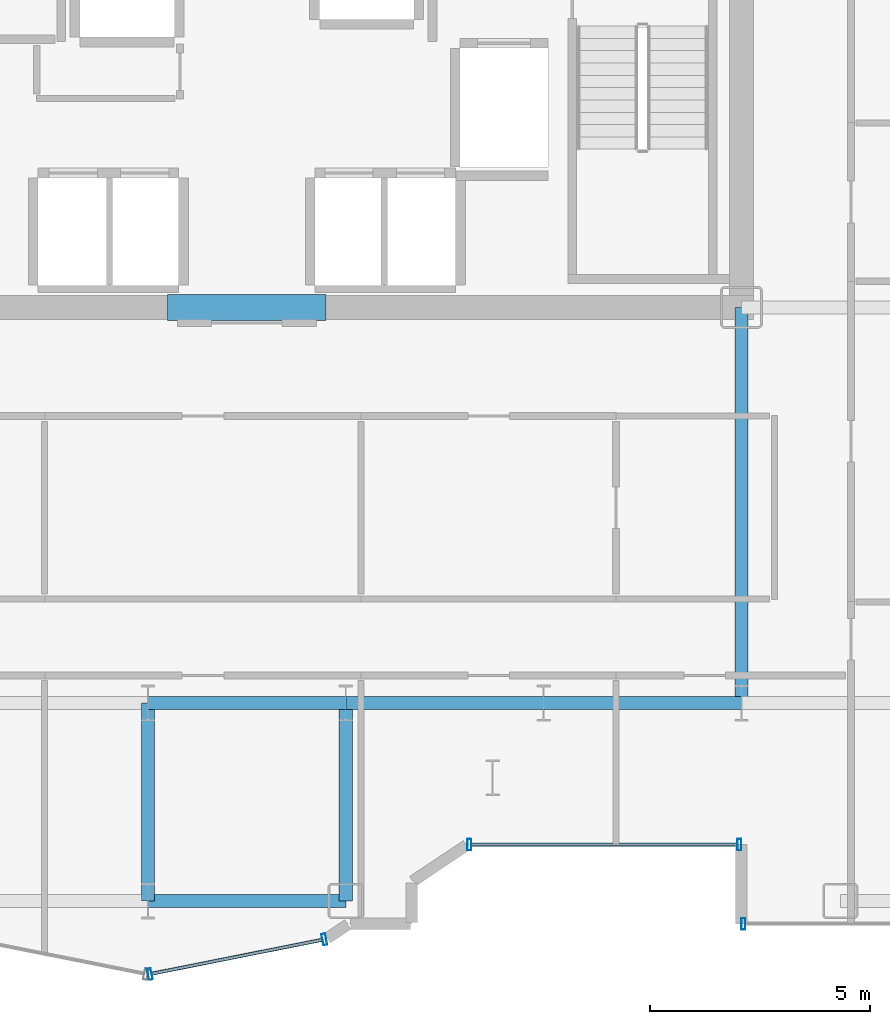
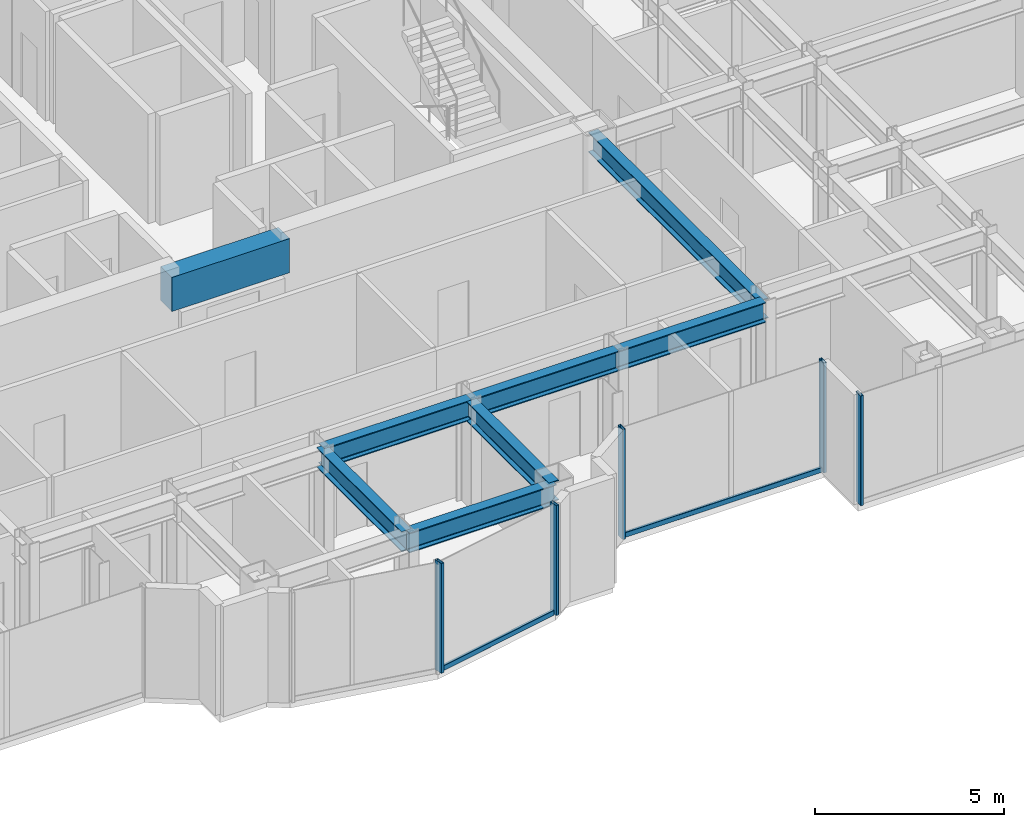
# One storey, part 7 of 23: 8 beams, 7 members, 3 elements without a shape of their own.
"""IFC4 building model written with IfcOpenShell, lengths in metres."""

from ifc_helpers import new_model, si_unit, direction, frame, origin, origin_2d, place, context, subcontext, project, spatial, rectangle, hollow_rectangle, i_section, extrude, source, transform, mapped, material, layer, layer_set, material_profile, profile_set, type_object, element, aggregate, save


model = new_model("IFC4")

# Units and contexts
model_context = context("Model", 3, precision=1e-05, world=origin(), true_north=direction((0.0, 1.0)))
body_context = subcontext(model_context, "Body", "Model", "MODEL_VIEW")
ifc_project = project(units=[si_unit("LENGTHUNIT", "METRE"), si_unit("AREAUNIT", "SQUARE_METRE"), si_unit("VOLUMEUNIT", "CUBIC_METRE"), si_unit("PLANEANGLEUNIT", "RADIAN"), si_unit("MASSUNIT", "GRAM", prefix="KILO")], contexts=[model_context])

# Site, building, storey
site_placement = place(None, origin())
site = spatial("IfcSite", under=ifc_project, at=site_placement, CompositionType="ELEMENT")
building_placement = place(site_placement, origin())
building = spatial("IfcBuilding", under=site, at=building_placement, Name="Nefas-Gora Pilgrimage Tower", CompositionType="ELEMENT")
storey_placement = place(building_placement, frame((0.0, 0.0, 152.60009765625)))
storey = spatial("IfcBuildingStorey", under=building, at=storey_placement, Name="L37", CompositionType="ELEMENT", Elevation=152.60009765625)

# Beams
ifc_material_1 = material(Name="Concrete C60/75", Category="concrete")
ifc_material_profile_1 = material_profile(ifc_material_1, rectangle(XDim=0.60009765625, YDim=1.10009765625, at=origin_2d()), Name="RC 600x1100")
ifc_profile_set_1 = profile_set([ifc_material_profile_1], Name="Concrete C60/75")
beam_type_1 = type_object("IfcBeamType", Name="BM-LIN-RC1100", PredefinedType="LINTEL", material=ifc_profile_set_1)
shared_shape_1 = source(origin(), body_context, "Body", "SweptSolid", [
    extrude(rectangle(XDim=0.60009765625, YDim=1.10009765625, at=origin_2d()), origin(), (0.0, 0.0, 1.0), 3.60009765625),
])
beam_1_placement = place(storey_placement, frame((-1.800048828125, -9.0, 3.0), z_axis=(1.0, 0.0, 0.0), x_axis=(0.0, 1.0, 0.0)))
element("IfcBeam", 1, at=beam_1_placement, inside=storey, type_object=beam_type_1, Name="L37 Core Coupling Lintel Beam S", PredefinedType="LINTEL", context=body_context, shape_type="MappedRepresentation", body=[
    mapped(shared_shape_1, transform((0.0, 0.0, 0.0), x_axis=(1.0, 0.0, 0.0), y_axis=(0.0, 1.0, 0.0), z_axis=(0.0, 0.0, 1.0), scale=1.0)),
])
ifc_material_2 = material(Name="Steel S355", Category="steel")
ifc_material_profile_2 = material_profile(ifc_material_2, i_section(OverallWidth=0.300048828125, OverallDepth=0.64990234375, WebThickness=0.01611328125, FlangeThickness=0.031005859375, FilletRadius=0.027099609375, at=origin_2d()), Name="HEB 650")
ifc_profile_set_2 = profile_set([ifc_material_profile_2], Name="Steel S355")
beam_type_2 = type_object("IfcBeamType", Name="BM-GIR-HEB650", PredefinedType="BEAM", material=ifc_profile_set_2)
shared_shape_2 = source(origin(), body_context, "Body", "SweptSolid", [
    extrude(i_section(OverallWidth=0.300048828125, OverallDepth=0.64990234375, WebThickness=0.01611328125, FlangeThickness=0.031005859375, FilletRadius=0.027099609375, at=origin_2d()), origin(), (0.0, 0.0, 1.0), 9.0),
])
beam_2_placement = place(storey_placement, frame((11.25, -18.0, 3.224853515625), z_axis=(0.0, 1.0, 0.0), x_axis=(-1.0, 0.0, 0.0)))
element("IfcBeam", 2, at=beam_2_placement, inside=storey, type_object=beam_type_2, Name="L37 G-03 beam", PredefinedType="BEAM", context=body_context, shape_type="MappedRepresentation", body=[
    mapped(shared_shape_2, transform((0.0, 0.0, 0.0), x_axis=(1.0, 0.0, 0.0), y_axis=(0.0, 1.0, 0.0), z_axis=(0.0, 0.0, 1.0), scale=1.0)),
])
shared_shape_3 = source(origin(), body_context, "Body", "SweptSolid", [
    extrude(i_section(OverallWidth=0.300048828125, OverallDepth=0.64990234375, WebThickness=0.01611328125, FlangeThickness=0.031005859375, FilletRadius=0.027099609375, at=origin_2d()), origin(), (0.0, 0.0, 1.0), 4.5),
])
for number, where, z_axis, x_axis, name in (
    (3, (-2.25, -22.5, 3.224853515625), (0.0, 1.0, 0.0), (-1.0, 0.0, 0.0), "L37 G-03 beam"),
    (4, (-2.25, -22.5, 3.224853515625), (1.0, 0.0, 0.0), (0.0, 1.0, 0.0), "L37 G-03 beam"),
    (5, (-2.25, -18.0, 3.224853515625), (1.0, 0.0, 0.0), (0.0, 1.0, 0.0), "L37 G-03 beam"),
    (6, (2.25, -22.5, 3.224853515625), (0.0, 1.0, 0.0), (-1.0, 0.0, 0.0), "L37 G-03 beam"),
    (7, (2.25, -18.0, 3.224853515625), (1.0, 0.0, 0.0), (0.0, 1.0, 0.0), "L37 G-03 beam"),
    (8, (6.75, -18.0, 3.224853515625), (1.0, 0.0, 0.0), (0.0, 1.0, 0.0), "L37 G-03 beam"),
):
    element("IfcBeam", number, at=place(storey_placement, frame(where, z_axis=z_axis, x_axis=x_axis)), inside=storey, type_object=beam_type_2, Name=name, PredefinedType="BEAM", context=body_context, shape_type="MappedRepresentation", body=[
        mapped(shared_shape_3, transform((0.0, 0.0, 0.0), x_axis=(1.0, 0.0, 0.0), y_axis=(0.0, 1.0, 0.0), z_axis=(0.0, 0.0, 1.0), scale=1.0)),
    ])

# Curtain wall, member
ifc_material_3 = material(Name="Dark ceramic-fritted solar-control aluminium-glass curtain wall", Category="aluminium")
ifc_layer_1 = layer(ifc_material_3, 0.219970703125)
ifc_layer_set_1 = layer_set([ifc_layer_1], Name="Dark ceramic-fritted solar-control aluminium-glass curtain wall")
curtain_wall_type_1 = type_object("IfcCurtainWallType", Name="CW-SYS-5", PredefinedType="NOTDEFINED", material=ifc_layer_set_1)
curtain_wall_1_placement = place(storey_placement, origin())
curtain_wall_1 = element("IfcCurtainWall", 9, at=curtain_wall_1_placement, inside=storey, type_object=curtain_wall_type_1, Name="L37 Unitised Curtain Wall CW5", PredefinedType="NOTDEFINED")
ifc_material_4 = material(Name="Anodised architectural aluminium", Category="aluminium")
ifc_material_profile_3 = material_profile(ifc_material_4, hollow_rectangle(XDim=0.080078125, YDim=0.159912109375, WallThickness=0.00439453125, InnerFilletRadius=0.00439453125, OuterFilletRadius=0.009033203125, at=origin_2d()), Name="ALU TRANSOM 80x160")
ifc_profile_set_3 = profile_set([ifc_material_profile_3], Name="Anodised architectural aluminium")
member_type_1 = type_object("IfcMemberType", Name="CWM-TRN-5", PredefinedType="USERDEFINED", material=ifc_profile_set_3)
shared_shape_4 = source(origin(), body_context, "Body", "SweptSolid", [
    extrude(hollow_rectangle(XDim=0.080078125, YDim=0.159912109375, WallThickness=0.00439453125, InnerFilletRadius=0.00439453125, OuterFilletRadius=0.009033203125, at=origin_2d()), origin(), (0.0, 0.0, 1.0), 6.052001953125),
])
member_1_placement = place(storey_placement, frame((5.10791015625, -21.219970703125, 0.0498046875), z_axis=(1.0, 0.0, 0.0), x_axis=(0.0, 1.0, 0.0)))
member_1 = element("IfcMember", 10, at=member_1_placement, type_object=member_type_1, Name="CW5 Spandrel Transom", ObjectType="TRANSOM", PredefinedType="USERDEFINED", context=body_context, shape_type="MappedRepresentation", body=[
    mapped(shared_shape_4, transform((0.0, 0.0, 0.0), x_axis=(1.0, 0.0, 0.0), y_axis=(0.0, 1.0, 0.0), z_axis=(0.0, 0.0, 1.0), scale=1.0)),
])

curtain_wall_2_placement = place(storey_placement, origin())
curtain_wall_2 = element("IfcCurtainWall", 11, at=curtain_wall_2_placement, inside=storey, type_object=curtain_wall_type_1, Name="L37 Unitised Curtain Wall CW5", PredefinedType="NOTDEFINED")
shared_shape_5 = source(origin(), body_context, "Body", "SweptSolid", [
    extrude(hollow_rectangle(XDim=0.080078125, YDim=0.159912109375, WallThickness=0.00439453125, InnerFilletRadius=0.00439453125, OuterFilletRadius=0.009033203125, at=origin_2d()), origin(), (0.0, 0.0, 1.0), 3.95654296875),
])
member_2_placement = place(storey_placement, frame((-2.16162109375, -24.15478515625, 0.0498046875), z_axis=(0.980781880918, 0.195107411605, 0.0), x_axis=(-0.195107411605, 0.980781880918, 0.0)))
member_2 = element("IfcMember", 12, at=member_2_placement, type_object=member_type_1, Name="CW5 Spandrel Transom", ObjectType="TRANSOM", PredefinedType="USERDEFINED", context=body_context, shape_type="MappedRepresentation", body=[
    mapped(shared_shape_5, transform((0.0, 0.0, 0.0), x_axis=(1.0, 0.0, 0.0), y_axis=(0.0, 1.0, 0.0), z_axis=(0.0, 0.0, 1.0), scale=1.0)),
])

# Member
ifc_material_profile_4 = material_profile(ifc_material_4, hollow_rectangle(XDim=0.090087890625, YDim=0.260009765625, WallThickness=0.006103515625, InnerFilletRadius=0.006103515625, OuterFilletRadius=0.011962890625, at=origin_2d()), Name="ALU MULLION 90x260")
ifc_profile_set_4 = profile_set([ifc_material_profile_4], Name="Anodised architectural aluminium")
member_type_2 = type_object("IfcMemberType", Name="CWM-MUL-5", PredefinedType="MULLION", material=ifc_profile_set_4)
shared_shape_6 = source(origin(), body_context, "Body", "SweptSolid", [
    extrude(hollow_rectangle(XDim=0.090087890625, YDim=0.260009765625, WallThickness=0.006103515625, InnerFilletRadius=0.006103515625, OuterFilletRadius=0.011962890625, at=origin_2d()), origin(), (0.0, 0.0, 1.0), 3.5498046875),
])
member_3_placement = place(storey_placement, frame((5.06298828125, -21.219970703125, 0.0), z_axis=(0.0, 0.0, 1.0), x_axis=(1.0, 0.0, 0.0)))
member_3 = element("IfcMember", 13, at=member_3_placement, type_object=member_type_2, Name="CW5 Mullion 1", PredefinedType="MULLION", context=body_context, shape_type="MappedRepresentation", body=[
    mapped(shared_shape_6, transform((0.0, 0.0, 0.0), x_axis=(1.0, 0.0, 0.0), y_axis=(0.0, 1.0, 0.0), z_axis=(0.0, 0.0, 1.0), scale=1.0)),
])

member_4_placement = place(storey_placement, frame((11.205078125, -21.219970703125, 0.0), z_axis=(0.0, 0.0, 1.0), x_axis=(1.0, 0.0, 0.0)))
member_4 = element("IfcMember", 14, at=member_4_placement, type_object=member_type_2, Name="CW5 Mullion 2", PredefinedType="MULLION", context=body_context, shape_type="MappedRepresentation", body=[
    mapped(shared_shape_6, transform((0.0, 0.0, 0.0), x_axis=(1.0, 0.0, 0.0), y_axis=(0.0, 1.0, 0.0), z_axis=(0.0, 0.0, 1.0), scale=1.0)),
])

aggregate(curtain_wall_1, [member_3, member_4, member_1])

member_5_placement = place(storey_placement, frame((-2.205810546875, -24.16357421875, 0.0), z_axis=(0.0, 0.0, 1.0), x_axis=(0.980782896852, 0.195102304554, 0.0)))
member_5 = element("IfcMember", 15, at=member_5_placement, type_object=member_type_2, Name="CW5 Mullion 1", PredefinedType="MULLION", context=body_context, shape_type="MappedRepresentation", body=[
    mapped(shared_shape_6, transform((0.0, 0.0, 0.0), x_axis=(1.0, 0.0, 0.0), y_axis=(0.0, 1.0, 0.0), z_axis=(0.0, 0.0, 1.0), scale=1.0)),
])

member_6_placement = place(storey_placement, frame((1.76318359375, -23.3740234375, 0.0), z_axis=(0.0, 0.0, 1.0), x_axis=(0.980782896852, 0.195102304554, 0.0)))
member_6 = element("IfcMember", 16, at=member_6_placement, type_object=member_type_2, Name="CW5 Mullion 2", PredefinedType="MULLION", context=body_context, shape_type="MappedRepresentation", body=[
    mapped(shared_shape_6, transform((0.0, 0.0, 0.0), x_axis=(1.0, 0.0, 0.0), y_axis=(0.0, 1.0, 0.0), z_axis=(0.0, 0.0, 1.0), scale=1.0)),
])

aggregate(curtain_wall_2, [member_5, member_6, member_2])

# Curtain wall, member
ifc_layer_2 = layer(ifc_material_3, 0.219970703125)
ifc_layer_set_2 = layer_set([ifc_layer_2], Name="Dark ceramic-fritted solar-control aluminium-glass curtain wall")
curtain_wall_type_2 = type_object("IfcCurtainWallType", Name="CW-SYS-3", PredefinedType="NOTDEFINED", material=ifc_layer_set_2)
curtain_wall_3_placement = place(storey_placement, origin())
curtain_wall_3 = element("IfcCurtainWall", 17, at=curtain_wall_3_placement, inside=storey, type_object=curtain_wall_type_2, Name="L37 Unitised Curtain Wall CW3", PredefinedType="NOTDEFINED")
ifc_material_profile_5 = material_profile(ifc_material_4, hollow_rectangle(XDim=0.090087890625, YDim=0.260009765625, WallThickness=0.006103515625, InnerFilletRadius=0.006103515625, OuterFilletRadius=0.011962890625, at=origin_2d()), Name="ALU MULLION 90x260")
ifc_profile_set_5 = profile_set([ifc_material_profile_5], Name="Anodised architectural aluminium")
member_type_3 = type_object("IfcMemberType", Name="CWM-MUL-3", PredefinedType="MULLION", material=ifc_profile_set_5)
shared_shape_7 = source(origin(), body_context, "Body", "SweptSolid", [
    extrude(hollow_rectangle(XDim=0.090087890625, YDim=0.260009765625, WallThickness=0.006103515625, InnerFilletRadius=0.006103515625, OuterFilletRadius=0.011962890625, at=origin_2d()), origin(), (0.0, 0.0, 1.0), 3.5498046875),
])
member_7_placement = place(storey_placement, frame((11.294921875, -23.02001953125, 0.0), z_axis=(0.0, 0.0, 1.0), x_axis=(1.0, 0.0, 0.0)))
member_7 = element("IfcMember", 18, at=member_7_placement, type_object=member_type_3, Name="CW3 Mullion 1", PredefinedType="MULLION", context=body_context, shape_type="MappedRepresentation", body=[
    mapped(shared_shape_7, transform((0.0, 0.0, 0.0), x_axis=(1.0, 0.0, 0.0), y_axis=(0.0, 1.0, 0.0), z_axis=(0.0, 0.0, 1.0), scale=1.0)),
])
aggregate(curtain_wall_3, [member_7])

save(model, "model.ifc")
